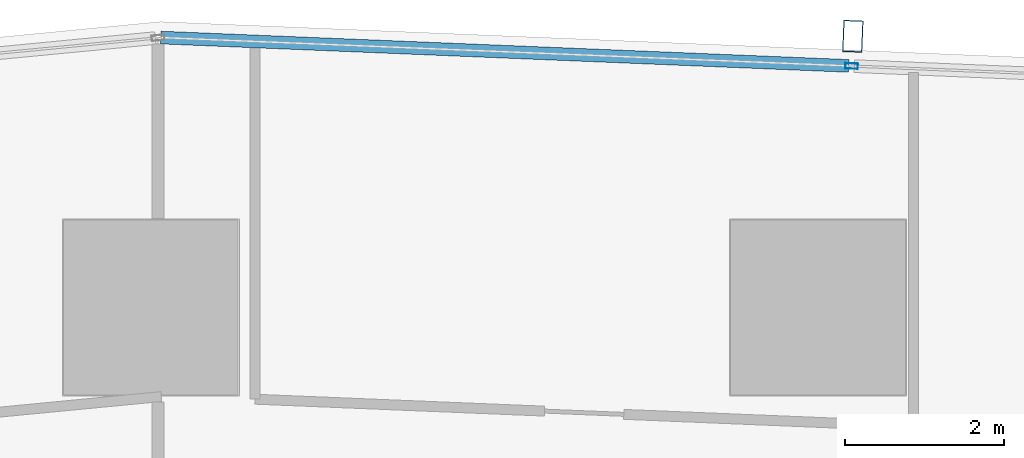
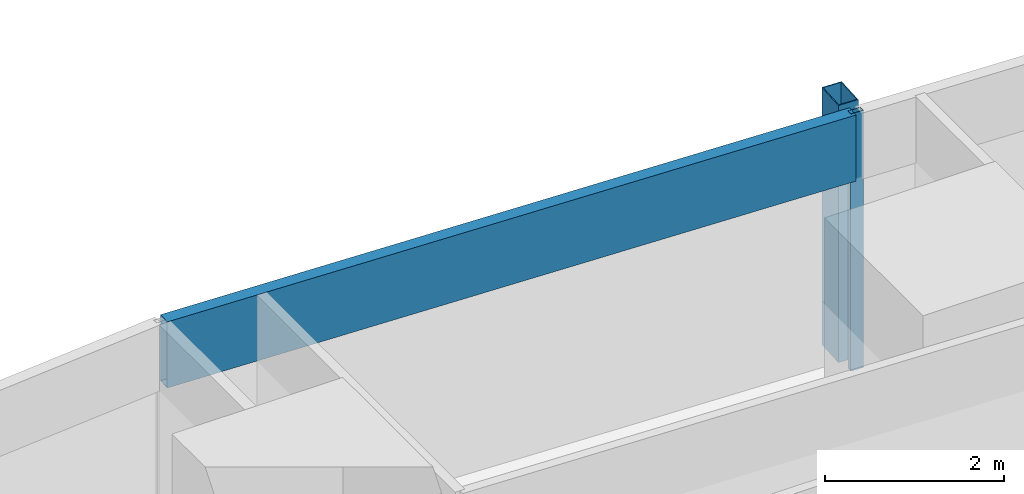
# One storey, part 18 of 45: 3 members, 1 element without a shape of its own.
"""IFC4 building model written with IfcOpenShell, lengths in metres."""

from ifc_helpers import new_model, si_unit, direction, frame, origin, origin_2d, place, context, subcontext, project, spatial, hollow_rectangle, extrude, material, material_profile, profile_set, type_object, element, aggregate, save


model = new_model("IFC4")

# Units and contexts
model_context = context("Model", 3, precision=1e-05, world=origin(), true_north=direction((0.0, 1.0)))
body_context = subcontext(model_context, "Body", "Model", "MODEL_VIEW")
ifc_project = project(units=[si_unit("LENGTHUNIT", "METRE"), si_unit("AREAUNIT", "SQUARE_METRE"), si_unit("VOLUMEUNIT", "CUBIC_METRE"), si_unit("PLANEANGLEUNIT", "RADIAN"), si_unit("MASSUNIT", "GRAM", prefix="KILO")], contexts=[model_context])

# Site, building, storey
site_placement = place(None, origin())
site = spatial("IfcSite", under=ifc_project, at=site_placement, CompositionType="ELEMENT")
building_placement = place(site_placement, origin())
building = spatial("IfcBuilding", under=site, at=building_placement, Name="Rekha Terrace Tower", CompositionType="ELEMENT")
storey_placement = place(building_placement, frame((0.0, 0.0, 32.89990234375)))
storey = spatial("IfcBuildingStorey", under=building, at=storey_placement, Name="L07", CompositionType="ELEMENT", Elevation=32.89990234375)

# Curtain wall, members
ifc_material_1 = material(Name="Aluminium framing", Category="aluminium")
curtain_wall_type = type_object("IfcCurtainWallType", Name="CW3 north unitised glazing", PredefinedType="USERDEFINED", material=ifc_material_1)
curtain_wall_placement = place(storey_placement, origin())
curtain_wall = element("IfcCurtainWall", 1, at=curtain_wall_placement, inside=storey, type_object=curtain_wall_type, Name="CW3 unitised curtain wall", ObjectType="UNITISED CURTAIN WALL", PredefinedType="USERDEFINED")
ifc_material_2 = material(Name="Steel S355 with fluorocarbon finish", Category="steel")
ifc_material_profile_1 = material_profile(ifc_material_2, hollow_rectangle(XDim=0.25, YDim=0.39990234375, WallThickness=0.012451171875, at=origin_2d()), Name="RHS400x250x12.5")
ifc_profile_set_1 = profile_set([ifc_material_profile_1], Name="Steel S355 with fluorocarbon finish")
member_type_1 = type_object("IfcMemberType", Name="BL1 facade blade RHS 400 x 250", PredefinedType="USERDEFINED", material=ifc_profile_set_1)
member_1_placement = place(storey_placement, frame((34.037353515625, 62.2158203125, 0.0), z_axis=(0.0, 0.0, 1.0), x_axis=(-0.99915196507, 0.041174636562, 0.0)))
member_1 = element("IfcMember", 2, at=member_1_placement, type_object=member_type_1, Name="Facade blade", ObjectType="FACADE BLADE", PredefinedType="USERDEFINED", context=body_context, shape_type="SweptSolid", body=[
    extrude(hollow_rectangle(XDim=0.25, YDim=0.39990234375, WallThickness=0.012451171875, at=origin_2d()), origin(), (0.0, 0.0, 1.0), 3.5),
])
ifc_material_3 = material(Name="Aluminium mullion section", Category="aluminium")
ifc_material_profile_2 = material_profile(ifc_material_3, hollow_rectangle(XDim=0.070068359375, YDim=0.159912109375, WallThickness=0.00390625, at=origin_2d()), Name="AL RHS 70x160")
ifc_profile_set_2 = profile_set([ifc_material_profile_2], Name="Aluminium mullion section")
member_type_2 = type_object("IfcMemberType", Name="CW3 mullion RHS 70 x 160", PredefinedType="MULLION", material=ifc_profile_set_2)
member_2_placement = place(storey_placement, frame((34.02197265625, 61.84130859375, 0.0), z_axis=(0.0, 0.0, 1.0), x_axis=(-0.041173846041, -0.999151997647, 0.0)))
member_2 = element("IfcMember", 3, at=member_2_placement, type_object=member_type_2, Name="CW3 mullion 5", PredefinedType="MULLION", context=body_context, shape_type="SweptSolid", body=[
    extrude(hollow_rectangle(XDim=0.070068359375, YDim=0.159912109375, WallThickness=0.00390625, at=origin_2d()), origin(), (0.0, 0.0, 1.0), 3.5),
])
ifc_material_4 = material(Name="Insulated aluminium spandrel box", Category="aluminium")
ifc_material_profile_3 = material_profile(ifc_material_4, hollow_rectangle(XDim=0.159912109375, YDim=0.89990234375, WallThickness=0.0029296875, at=origin_2d()), Name="AL SPANDREL BOX 160x900")
ifc_profile_set_3 = profile_set([ifc_material_profile_3], Name="Insulated aluminium spandrel box")
member_type_3 = type_object("IfcMemberType", Name="CW3 spandrel transom 160 x 900", PredefinedType="USERDEFINED", material=ifc_profile_set_3)
member_3_placement = place(storey_placement, frame((33.987060546875, 61.8427734375, 3.050048828125), z_axis=(-0.999152004012, 0.04117369158, 0.0), x_axis=(-0.04117369158, -0.999152004012, 0.0)))
member_3 = element("IfcMember", 4, at=member_3_placement, type_object=member_type_3, Name="CW3 spandrel transom 5", ObjectType="TRANSOM", PredefinedType="USERDEFINED", context=body_context, shape_type="SweptSolid", body=[
    extrude(hollow_rectangle(XDim=0.159912109375, YDim=0.89990234375, WallThickness=0.0029296875, at=origin_2d()), origin(), (0.0, 0.0, 1.0), 8.6689453125),
])
aggregate(curtain_wall, [member_2, member_3, member_1])

save(model, "model.ifc")
